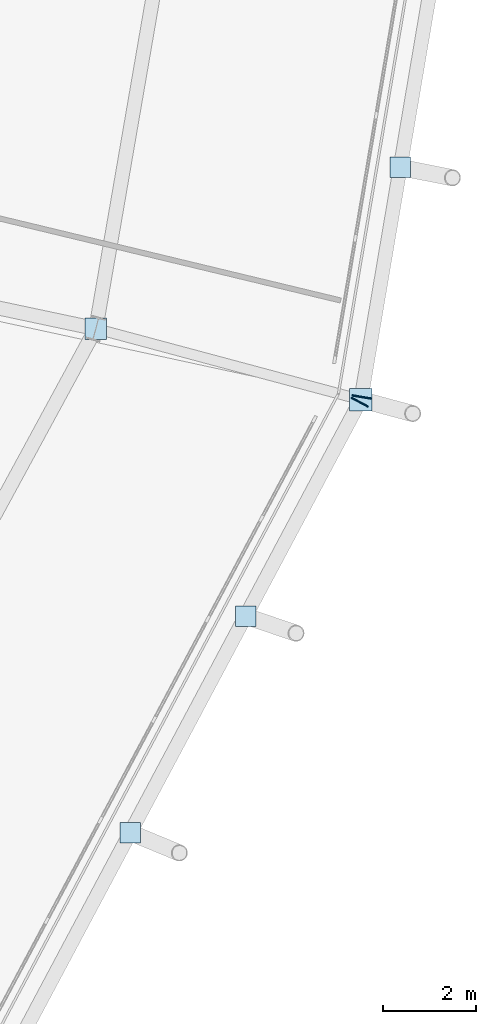
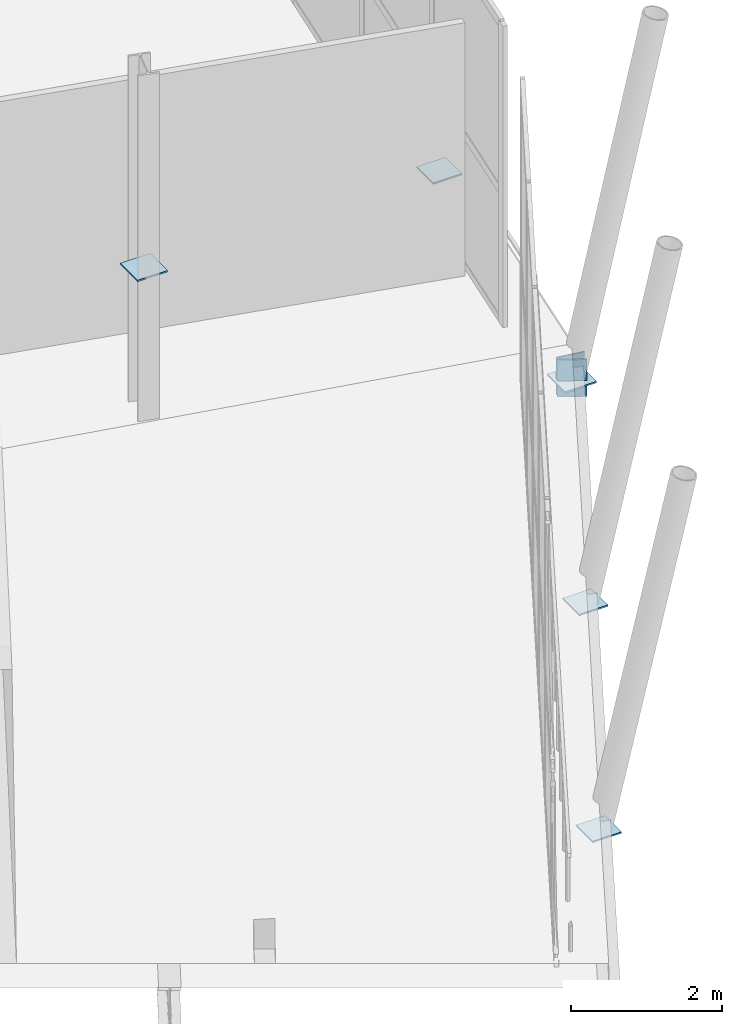
# One storey, part 72 of 99: 7 plates.
"""IFC4 building model written with IfcOpenShell, lengths in metres."""

from ifc_helpers import new_model, si_unit, direction, frame, origin, origin_2d, place, context, subcontext, project, spatial, rectangle, extrude, material, layer, layer_set, type_object, element, save


model = new_model("IFC4")

# Units and contexts
model_context = context("Model", 3, precision=1e-05, world=origin(), true_north=direction((0.0, 1.0)))
body_context = subcontext(model_context, "Body", "Model", "MODEL_VIEW")
ifc_project = project(units=[si_unit("LENGTHUNIT", "METRE"), si_unit("AREAUNIT", "SQUARE_METRE"), si_unit("VOLUMEUNIT", "CUBIC_METRE"), si_unit("PLANEANGLEUNIT", "RADIAN"), si_unit("MASSUNIT", "GRAM", prefix="KILO")], contexts=[model_context])

# Site, building, storey
site_placement = place(None, origin())
site = spatial("IfcSite", under=ifc_project, at=site_placement, CompositionType="ELEMENT")
building_placement = place(site_placement, origin())
building = spatial("IfcBuilding", under=site, at=building_placement, Name="Zlatoyarsky Gate Stadium", CompositionType="ELEMENT")
storey_placement = place(building_placement, frame((0.0, 0.0, 26.199951171875)))
storey = spatial("IfcBuildingStorey", under=building, at=storey_placement, Name="L05", CompositionType="ELEMENT", Elevation=26.199951171875)

# Plates
ifc_material = material(Name="Steel S355", Category="steel")
ifc_layer = layer(ifc_material, 0.02392578125)
ifc_layer_set = layer_set([ifc_layer], Name="Steel S355")
plate_type = type_object("IfcPlateType", Name="STEEL HOLLOW CHORD SPLICE SHEET 24", PredefinedType="SHEET", material=ifc_layer_set)
for number, where, z_axis, x_axis, name in (
    (1, (206.480712890625, 60.049560546875, -0.81005859375), (0.0, 0.0, 1.0), (0.470185980478, 0.882567359334, 0.0), "Hollow end cap ND-SP1 CAP-L05-SPD-22 B"),
    (2, (206.518798828125, 60.16162109375, -0.81005859375), (0.0, 0.0, 1.0), (0.16695131311, 0.98596514089, 0.0), "Hollow end cap ND-SP1 CAP-L05-SPD-23 A"),
):
    element("IfcPlate", number, at=place(storey_placement, frame(where, z_axis=z_axis, x_axis=x_axis)), inside=storey, type_object=plate_type, Name=name, PredefinedType="SHEET", context=body_context, shape_type="SweptSolid", body=[
        extrude(rectangle(XDim=0.02392578125, YDim=0.39990234375, at=origin_2d()), origin(), (0.0, 0.0, 1.0), 0.60009765625),
    ])
plate_1_placement = place(storey_placement, frame((206.5087890625, 60.1025390625, -0.572021484375), z_axis=(0.0, 0.0, 1.0), x_axis=(1.0, 0.0, 0.0)))
element("IfcPlate", 3, at=plate_1_placement, inside=storey, type_object=plate_type, Name="Node closure plate ND-SP1 NCAP-L05-RSTR-23", PredefinedType="SHEET", context=body_context, shape_type="SweptSolid", body=[
    extrude(rectangle(XDim=0.47998046875, YDim=0.47998046875, at=origin_2d()), origin(), (0.0, 0.0, 1.0), 0.02392578125),
])
for number, where, z_axis, x_axis, name in (
    (4, (201.56982421875, 50.831787109375, -0.52197265625), (0.0, 0.0, 1.0), (1.0, 0.0, 0.0), "Node closure plate ND-SP1 NCAP-RIB-22-2-3T"),
    (5, (204.039306640625, 55.467041015625, -0.52197265625), (0.0, 0.0, 1.0), (1.0, 0.0, 0.0), "Node closure plate ND-SP1 NCAP-RIB-22-3-3T"),
    (6, (207.351318359375, 65.076904296875, -0.52197265625), (0.0, 0.0, 1.0), (1.0, 0.0, 0.0), "Node closure plate ND-SP1 NCAP-RIB-23-1-3T"),
):
    element("IfcPlate", number, at=place(storey_placement, frame(where, z_axis=z_axis, x_axis=x_axis)), inside=storey, type_object=plate_type, Name=name, PredefinedType="SHEET", context=body_context, shape_type="SweptSolid", body=[
        extrude(rectangle(XDim=0.43994140625, YDim=0.43994140625, at=origin_2d()), origin(), (0.0, 0.0, 1.0), 0.02392578125),
    ])
plate_2_placement = place(storey_placement, frame((200.8310546875, 61.623779296875, 2.2880859375), z_axis=(0.0, 0.0, 1.0), x_axis=(1.0, 0.0, 0.0)))
element("IfcPlate", 7, at=plate_2_placement, inside=storey, type_object=plate_type, Name="Node closure plate ND-SP1 NCAP-BPROP-23", PredefinedType="SHEET", context=body_context, shape_type="SweptSolid", body=[
    extrude(rectangle(XDim=0.4599609375, YDim=0.4599609375, at=origin_2d()), origin(), (0.0, 0.0, 1.0), 0.02392578125),
])

save(model, "model.ifc")
